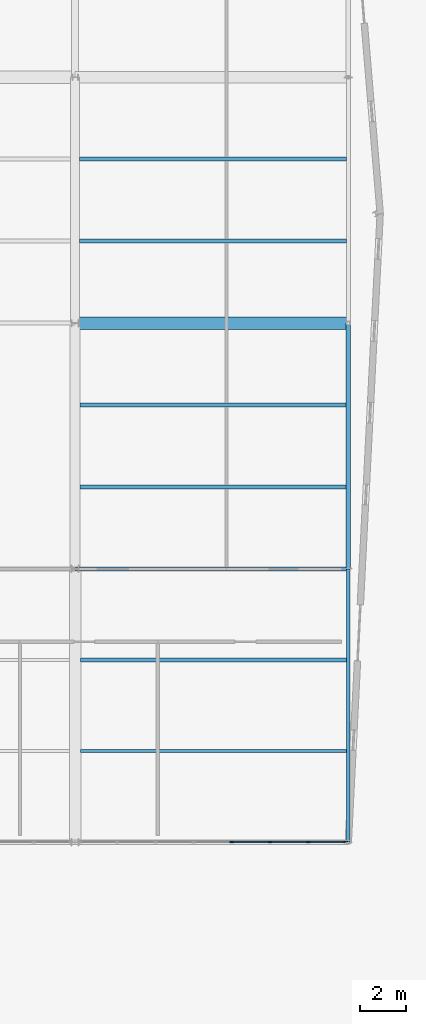
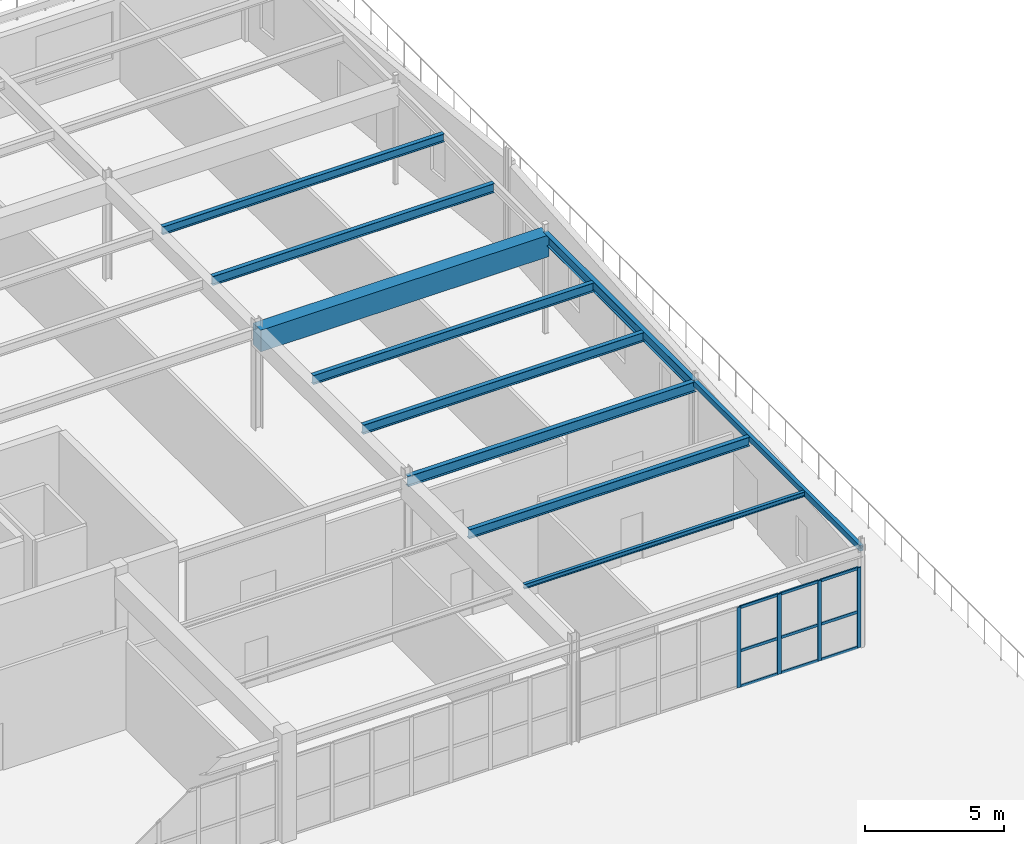
# One storey, part 109 of 199: 13 members, 10 beams, 1 element without a shape of its own.
"""IFC4 building model written with IfcOpenShell, lengths in metres."""

from ifc_helpers import new_model, si_unit, direction, frame, origin, origin_2d, place, context, subcontext, project, spatial, rectangle, hollow_rectangle, i_section, extrude, material, layer, layer_set, material_profile, profile_set, type_object, element, aggregate, save


model = new_model("IFC4")

# Units and contexts
model_context = context("Model", 3, precision=1e-05, world=origin(), true_north=direction((0.0, 1.0)))
body_context = subcontext(model_context, "Body", "Model", "MODEL_VIEW")
ifc_project = project(units=[si_unit("LENGTHUNIT", "METRE"), si_unit("AREAUNIT", "SQUARE_METRE"), si_unit("VOLUMEUNIT", "CUBIC_METRE"), si_unit("PLANEANGLEUNIT", "RADIAN"), si_unit("MASSUNIT", "GRAM", prefix="KILO")], contexts=[model_context])

# Site, building, storey
site_placement = place(None, origin())
site = spatial("IfcSite", under=ifc_project, at=site_placement, CompositionType="ELEMENT")
building_placement = place(site_placement, origin())
building = spatial("IfcBuilding", under=site, at=building_placement, Name="Tarnwether General Hospital", CompositionType="ELEMENT")
storey_placement = place(building_placement, origin())
storey = spatial("IfcBuildingStorey", under=building, at=storey_placement, Name="L00", CompositionType="ELEMENT", Elevation=0.0)

# Beams
ifc_material_1 = material(Name="Steel Grade 350 (350 MPa)", Category="steel")
ifc_material_profile_1 = material_profile(ifc_material_1, i_section(OverallWidth=0.18994140625, OverallDepth=0.4541015625, WebThickness=0.008544921875, FlangeThickness=0.0126953125, at=origin_2d()), Name="460UB67.1")
ifc_profile_set_1 = profile_set([ifc_material_profile_1], Name="Steel Grade 350 (350 MPa)")
beam_type_1 = type_object("IfcBeamType", Name="BM-G10", PredefinedType="BEAM", material=ifc_profile_set_1)
beam_1_placement = place(storey_placement, frame((180.0, 93.60009765625, 4.218017578125), z_axis=(1.0, 0.0, 0.0), x_axis=(0.0, 1.0, 0.0)))
element("IfcBeam", 1, at=beam_1_placement, inside=storey, type_object=beam_type_1, Name="Primary Girder BMG-L00-18000_9360-19200_9360-0848", PredefinedType="BEAM", context=body_context, shape_type="SweptSolid", body=[
    extrude(i_section(OverallWidth=0.18994140625, OverallDepth=0.4541015625, WebThickness=0.008544921875, FlangeThickness=0.0126953125, at=origin_2d()), origin(), (0.0, 0.0, 1.0), 12.0),
])
ifc_material_2 = material(Name="Concrete 40 MPa", Category="concrete")
ifc_material_profile_2 = material_profile(ifc_material_2, rectangle(XDim=0.550048828125, YDim=0.949951171875, at=origin_2d()), Name="RC-BM-550x950")
ifc_profile_set_2 = profile_set([ifc_material_profile_2], Name="Concrete 40 MPa")
beam_type_2 = type_object("IfcBeamType", Name="BM-G11", PredefinedType="BEAM", material=ifc_profile_set_2)
beam_2_placement = place(storey_placement, frame((180.0, 104.39990234375, 3.969970703125), z_axis=(1.0, 0.0, 0.0), x_axis=(0.0, 1.0, 0.0)))
element("IfcBeam", 2, at=beam_2_placement, inside=storey, type_object=beam_type_2, Name="Primary Girder BMG-L00-18000_10440-19200_10440-0850", PredefinedType="BEAM", context=body_context, shape_type="SweptSolid", body=[
    extrude(rectangle(XDim=0.550048828125, YDim=0.949951171875, at=origin_2d()), origin(), (0.0, 0.0, 1.0), 12.0),
])
ifc_material_3 = material(Name="Steel Grade 350 (350 MPa)", Category="steel")
ifc_material_profile_3 = material_profile(ifc_material_3, i_section(OverallWidth=0.177978515625, OverallDepth=0.406005859375, WebThickness=0.0078125, FlangeThickness=0.0126953125, at=origin_2d()), Name="410UB59.7")
ifc_profile_set_3 = profile_set([ifc_material_profile_3], Name="Steel Grade 350 (350 MPa)")
beam_type_3 = type_object("IfcBeamType", Name="BM-J01", PredefinedType="JOIST", material=ifc_profile_set_3)
beam_3_placement = place(storey_placement, frame((180.243896484375, 89.60009765625, 4.241943359375), z_axis=(1.0, 0.0, 0.0), x_axis=(0.0, 1.0, 0.0)))
element("IfcBeam", 3, at=beam_3_placement, inside=storey, type_object=beam_type_3, Name="Composite Floor Joist BMG-L00-18024_8960-19192_8960-1038", PredefinedType="JOIST", context=body_context, shape_type="SweptSolid", body=[
    extrude(i_section(OverallWidth=0.177978515625, OverallDepth=0.406005859375, WebThickness=0.0078125, FlangeThickness=0.0126953125, at=origin_2d()), origin(), (0.0, 0.0, 1.0), 11.676025390625),
])
beam_4_placement = place(storey_placement, frame((180.218994140625, 97.199951171875, 4.241943359375), z_axis=(1.0, 0.0, 0.0), x_axis=(0.0, 1.0, 0.0)))
element("IfcBeam", 4, at=beam_4_placement, inside=storey, type_object=beam_type_3, Name="Composite Floor Joist BMG-L00-18022_9720-19191_9720-1039", PredefinedType="JOIST", context=body_context, shape_type="SweptSolid", body=[
    extrude(i_section(OverallWidth=0.177978515625, OverallDepth=0.406005859375, WebThickness=0.0078125, FlangeThickness=0.0126953125, at=origin_2d()), origin(), (0.0, 0.0, 1.0), 11.69189453125),
])
ifc_material_4 = material(Name="Steel Grade 350 (350 MPa)", Category="steel")
ifc_material_profile_4 = material_profile(ifc_material_4, i_section(OverallWidth=0.177978515625, OverallDepth=0.403076171875, WebThickness=0.007568359375, FlangeThickness=0.010986328125, at=origin_2d()), Name="410UB53.7")
ifc_profile_set_4 = profile_set([ifc_material_profile_4], Name="Steel Grade 350 (350 MPa)")
beam_type_4 = type_object("IfcBeamType", Name="BM-J02", PredefinedType="JOIST", material=ifc_profile_set_4)
beam_5_placement = place(storey_placement, frame((180.218994140625, 100.800048828125, 4.243408203125), z_axis=(1.0, 0.0, 0.0), x_axis=(0.0, 1.0, 0.0)))
element("IfcBeam", 5, at=beam_5_placement, inside=storey, type_object=beam_type_4, Name="Composite Floor Joist BMG-L00-18022_10080-19191_10080-1040", PredefinedType="JOIST", context=body_context, shape_type="SweptSolid", body=[
    extrude(i_section(OverallWidth=0.177978515625, OverallDepth=0.403076171875, WebThickness=0.007568359375, FlangeThickness=0.010986328125, at=origin_2d()), origin(), (0.0, 0.0, 1.0), 11.69189453125),
])
beam_6_placement = place(storey_placement, frame((180.194091796875, 108.0, 4.243408203125), z_axis=(1.0, 0.0, 0.0), x_axis=(0.0, 1.0, 0.0)))
element("IfcBeam", 6, at=beam_6_placement, inside=storey, type_object=beam_type_4, Name="Composite Floor Joist BMG-L00-18019_10800-19192_10800-1041", PredefinedType="JOIST", context=body_context, shape_type="SweptSolid", body=[
    extrude(i_section(OverallWidth=0.177978515625, OverallDepth=0.403076171875, WebThickness=0.007568359375, FlangeThickness=0.010986328125, at=origin_2d()), origin(), (0.0, 0.0, 1.0), 11.722900390625),
])
ifc_material_5 = material(Name="Steel Grade 350 (350 MPa)", Category="steel")
ifc_material_profile_5 = material_profile(ifc_material_5, i_section(OverallWidth=0.172119140625, OverallDepth=0.35888671875, WebThickness=0.008056640625, FlangeThickness=0.012939453125, at=origin_2d()), Name="360UB56.7")
ifc_profile_set_5 = profile_set([ifc_material_profile_5], Name="Steel Grade 350 (350 MPa)")
beam_type_5 = type_object("IfcBeamType", Name="BM-J03", PredefinedType="JOIST", material=ifc_profile_set_5)
beam_7_placement = place(storey_placement, frame((180.194091796875, 111.60009765625, 4.265380859375), z_axis=(1.0, 0.0, 0.0), x_axis=(0.0, 1.0, 0.0)))
element("IfcBeam", 7, at=beam_7_placement, inside=storey, type_object=beam_type_5, Name="Composite Floor Joist BMG-L00-18019_11160-19192_11160-1042", PredefinedType="JOIST", context=body_context, shape_type="SweptSolid", body=[
    extrude(i_section(OverallWidth=0.172119140625, OverallDepth=0.35888671875, WebThickness=0.008056640625, FlangeThickness=0.012939453125, at=origin_2d()), origin(), (0.0, 0.0, 1.0), 11.722900390625),
])
ifc_material_6 = material(Name="Steel Grade 350 (350 MPa)", Category="steel")
ifc_material_profile_6 = material_profile(ifc_material_6, i_section(OverallWidth=0.134033203125, OverallDepth=0.20703125, WebThickness=0.00634765625, FlangeThickness=0.009521484375, at=origin_2d()), Name="200UB29.8")
ifc_profile_set_6 = profile_set([ifc_material_profile_6], Name="Steel Grade 350 (350 MPa)")
beam_type_6 = type_object("IfcBeamType", Name="BM-J12", PredefinedType="JOIST", material=ifc_profile_set_6)
beam_8_placement = place(storey_placement, frame((180.243896484375, 85.60009765625, 4.341552734375), z_axis=(1.0, 0.0, 0.0), x_axis=(0.0, 1.0, 0.0)))
element("IfcBeam", 8, at=beam_8_placement, inside=storey, type_object=beam_type_6, Name="Composite Floor Joist BMG-L00-18024_8560-19192_8560-1037", PredefinedType="JOIST", context=body_context, shape_type="SweptSolid", body=[
    extrude(i_section(OverallWidth=0.134033203125, OverallDepth=0.20703125, WebThickness=0.00634765625, FlangeThickness=0.009521484375, at=origin_2d()), origin(), (0.0, 0.0, 1.0), 11.676025390625),
])
ifc_material_7 = material(Name="Steel Grade 350 (350 MPa)", Category="steel")
ifc_material_profile_7 = material_profile(ifc_material_7, i_section(OverallWidth=0.18994140625, OverallDepth=0.4541015625, WebThickness=0.008544921875, FlangeThickness=0.0126953125, at=origin_2d()), Name="460UB67.1")
ifc_profile_set_7 = profile_set([ifc_material_profile_7], Name="Steel Grade 350 (350 MPa)")
beam_type_7 = type_object("IfcBeamType", Name="BM-SP1", PredefinedType="SPANDREL", material=ifc_profile_set_7)
beam_9_placement = place(storey_placement, frame((192.0, 93.60009765625, 4.218017578125), z_axis=(0.0, 1.0, 0.0), x_axis=(-1.0, 0.0, 0.0)))
element("IfcBeam", 9, at=beam_9_placement, inside=storey, type_object=beam_type_7, Name="Primary Girder BMG-L00-19200_9360-19200_10440-0860", PredefinedType="SPANDREL", context=body_context, shape_type="SweptSolid", body=[
    extrude(i_section(OverallWidth=0.18994140625, OverallDepth=0.4541015625, WebThickness=0.008544921875, FlangeThickness=0.0126953125, at=origin_2d()), origin(), (0.0, 0.0, 1.0), 10.7998046875),
])
ifc_material_8 = material(Name="Steel Grade C350L0 (350 MPa)", Category="steel")
ifc_material_profile_8 = material_profile(ifc_material_8, hollow_rectangle(XDim=0.14990234375, YDim=0.25, WallThickness=0.008056640625, at=origin_2d()), Name="RHS250x150x8")
ifc_profile_set_8 = profile_set([ifc_material_profile_8], Name="Steel Grade C350L0 (350 MPa)")
beam_type_8 = type_object("IfcBeamType", Name="BM-SP8", PredefinedType="SPANDREL", material=ifc_profile_set_8)
beam_10_placement = place(storey_placement, frame((192.0, 81.60009765625, 4.320068359375), z_axis=(0.0, 1.0, 0.0), x_axis=(-1.0, 0.0, 0.0)))
element("IfcBeam", 10, at=beam_10_placement, inside=storey, type_object=beam_type_8, Name="Primary Girder BMG-L00-19200_8160-19200_9360-0859", PredefinedType="SPANDREL", context=body_context, shape_type="SweptSolid", body=[
    extrude(hollow_rectangle(XDim=0.14990234375, YDim=0.25, WallThickness=0.008056640625, at=origin_2d()), origin(), (0.0, 0.0, 1.0), 12.0),
])

# Curtain wall, members
ifc_material_9 = material(Name="Anodised aluminium", Category="aluminium")
ifc_layer = layer(ifc_material_9, 0.159912109375)
ifc_layer_set = layer_set([ifc_layer], Name="Anodised aluminium")
curtain_wall_type = type_object("IfcCurtainWallType", Name="CW-20", PredefinedType="NOTDEFINED", material=ifc_layer_set)
curtain_wall_placement = place(storey_placement, origin())
curtain_wall = element("IfcCurtainWall", 11, at=curtain_wall_placement, inside=storey, type_object=curtain_wall_type, Name="Curtain Wall CWG-L00-1919_816-0290", PredefinedType="NOTDEFINED")
ifc_material_10 = material(Name="Anodised aluminium", Category="aluminium")
ifc_material_profile_9 = material_profile(ifc_material_10, rectangle(XDim=0.06005859375, YDim=0.159912109375, at=origin_2d()), Name="ALU-MUL-60x160")
ifc_profile_set_9 = profile_set([ifc_material_profile_9], Name="Anodised aluminium")
member_type_1 = type_object("IfcMemberType", Name="CW-ML1", PredefinedType="MULLION", material=ifc_profile_set_9)
member_1_placement = place(storey_placement, frame((191.885986328125, 81.60009765625, 0.0), z_axis=(0.0, 0.0, 1.0), x_axis=(0.0, -1.0, 0.0)))
member_1 = element("IfcMember", 12, at=member_1_placement, type_object=member_type_1, Name="CW-20 mullion 1", PredefinedType="MULLION", context=body_context, shape_type="SweptSolid", body=[
    extrude(rectangle(XDim=0.06005859375, YDim=0.159912109375, at=origin_2d()), origin(), (0.0, 0.0, 1.0), 3.530029296875),
])
member_2_placement = place(storey_placement, frame((190.23779296875, 81.60009765625, 0.0), z_axis=(0.0, 0.0, 1.0), x_axis=(0.0, -1.0, 0.0)))
member_2 = element("IfcMember", 13, at=member_2_placement, type_object=member_type_1, Name="CW-20 mullion 2", PredefinedType="MULLION", context=body_context, shape_type="SweptSolid", body=[
    extrude(rectangle(XDim=0.06005859375, YDim=0.159912109375, at=origin_2d()), origin(), (0.0, 0.0, 1.0), 3.530029296875),
])
member_3_placement = place(storey_placement, frame((188.559326171875, 81.60009765625, 0.0), z_axis=(0.0, 0.0, 1.0), x_axis=(0.0, -1.0, 0.0)))
member_3 = element("IfcMember", 14, at=member_3_placement, type_object=member_type_1, Name="CW-20 mullion 3", PredefinedType="MULLION", context=body_context, shape_type="SweptSolid", body=[
    extrude(rectangle(XDim=0.06005859375, YDim=0.159912109375, at=origin_2d()), origin(), (0.0, 0.0, 1.0), 3.530029296875),
])
member_4_placement = place(storey_placement, frame((186.881103515625, 81.60009765625, 0.0), z_axis=(0.0, 0.0, 1.0), x_axis=(0.0, -1.0, 0.0)))
member_4 = element("IfcMember", 15, at=member_4_placement, type_object=member_type_1, Name="CW-20 mullion 4", PredefinedType="MULLION", context=body_context, shape_type="SweptSolid", body=[
    extrude(rectangle(XDim=0.06005859375, YDim=0.159912109375, at=origin_2d()), origin(), (0.0, 0.0, 1.0), 3.530029296875),
])
ifc_material_11 = material(Name="Anodised aluminium", Category="aluminium")
ifc_material_profile_10 = material_profile(ifc_material_11, rectangle(XDim=0.06005859375, YDim=0.1201171875, at=origin_2d()), Name="ALU-TRN-60x120")
ifc_profile_set_10 = profile_set([ifc_material_profile_10], Name="Anodised aluminium")
member_type_2 = type_object("IfcMemberType", Name="CW-TR1", PredefinedType="USERDEFINED", material=ifc_profile_set_10)
member_5_placement = place(storey_placement, frame((191.85595703125, 81.60009765625, 0.030029296875), z_axis=(-1.0, 0.0, 0.0), x_axis=(0.0, -1.0, 0.0)))
member_5 = element("IfcMember", 16, at=member_5_placement, type_object=member_type_2, Name="CW-20 transom 1.1", ObjectType="TRANSOM", PredefinedType="USERDEFINED", context=body_context, shape_type="SweptSolid", body=[
    extrude(rectangle(XDim=0.06005859375, YDim=0.1201171875, at=origin_2d()), origin(), (0.0, 0.0, 1.0), 1.588134765625),
])
member_6_placement = place(storey_placement, frame((191.85595703125, 81.60009765625, 1.58837890625), z_axis=(-1.0, 0.0, 0.0), x_axis=(0.0, -1.0, 0.0)))
member_6 = element("IfcMember", 17, at=member_6_placement, type_object=member_type_2, Name="CW-20 transom 1.2", ObjectType="TRANSOM", PredefinedType="USERDEFINED", context=body_context, shape_type="SweptSolid", body=[
    extrude(rectangle(XDim=0.06005859375, YDim=0.1201171875, at=origin_2d()), origin(), (0.0, 0.0, 1.0), 1.588134765625),
])
member_7_placement = place(storey_placement, frame((191.85595703125, 81.60009765625, 3.5), z_axis=(-1.0, 0.0, 0.0), x_axis=(0.0, -1.0, 0.0)))
member_7 = element("IfcMember", 18, at=member_7_placement, type_object=member_type_2, Name="CW-20 transom 1.3", ObjectType="TRANSOM", PredefinedType="USERDEFINED", context=body_context, shape_type="SweptSolid", body=[
    extrude(rectangle(XDim=0.06005859375, YDim=0.1201171875, at=origin_2d()), origin(), (0.0, 0.0, 1.0), 1.588134765625),
])
member_8_placement = place(storey_placement, frame((190.207763671875, 81.60009765625, 0.030029296875), z_axis=(-1.0, 0.0, 0.0), x_axis=(0.0, -1.0, 0.0)))
member_8 = element("IfcMember", 19, at=member_8_placement, type_object=member_type_2, Name="CW-20 transom 2.1", ObjectType="TRANSOM", PredefinedType="USERDEFINED", context=body_context, shape_type="SweptSolid", body=[
    extrude(rectangle(XDim=0.06005859375, YDim=0.1201171875, at=origin_2d()), origin(), (0.0, 0.0, 1.0), 1.618408203125),
])
member_9_placement = place(storey_placement, frame((190.207763671875, 81.60009765625, 1.58837890625), z_axis=(-1.0, 0.0, 0.0), x_axis=(0.0, -1.0, 0.0)))
member_9 = element("IfcMember", 20, at=member_9_placement, type_object=member_type_2, Name="CW-20 transom 2.2", ObjectType="TRANSOM", PredefinedType="USERDEFINED", context=body_context, shape_type="SweptSolid", body=[
    extrude(rectangle(XDim=0.06005859375, YDim=0.1201171875, at=origin_2d()), origin(), (0.0, 0.0, 1.0), 1.618408203125),
])
member_10_placement = place(storey_placement, frame((190.207763671875, 81.60009765625, 3.5), z_axis=(-1.0, 0.0, 0.0), x_axis=(0.0, -1.0, 0.0)))
member_10 = element("IfcMember", 21, at=member_10_placement, type_object=member_type_2, Name="CW-20 transom 2.3", ObjectType="TRANSOM", PredefinedType="USERDEFINED", context=body_context, shape_type="SweptSolid", body=[
    extrude(rectangle(XDim=0.06005859375, YDim=0.1201171875, at=origin_2d()), origin(), (0.0, 0.0, 1.0), 1.618408203125),
])
member_11_placement = place(storey_placement, frame((188.529541015625, 81.60009765625, 0.030029296875), z_axis=(-1.0, 0.0, 0.0), x_axis=(0.0, -1.0, 0.0)))
member_11 = element("IfcMember", 22, at=member_11_placement, type_object=member_type_2, Name="CW-20 transom 3.1", ObjectType="TRANSOM", PredefinedType="USERDEFINED", context=body_context, shape_type="SweptSolid", body=[
    extrude(rectangle(XDim=0.06005859375, YDim=0.1201171875, at=origin_2d()), origin(), (0.0, 0.0, 1.0), 1.618408203125),
])
member_12_placement = place(storey_placement, frame((188.529541015625, 81.60009765625, 1.58837890625), z_axis=(-1.0, 0.0, 0.0), x_axis=(0.0, -1.0, 0.0)))
member_12 = element("IfcMember", 23, at=member_12_placement, type_object=member_type_2, Name="CW-20 transom 3.2", ObjectType="TRANSOM", PredefinedType="USERDEFINED", context=body_context, shape_type="SweptSolid", body=[
    extrude(rectangle(XDim=0.06005859375, YDim=0.1201171875, at=origin_2d()), origin(), (0.0, 0.0, 1.0), 1.618408203125),
])
member_13_placement = place(storey_placement, frame((188.529541015625, 81.60009765625, 3.5), z_axis=(-1.0, 0.0, 0.0), x_axis=(0.0, -1.0, 0.0)))
member_13 = element("IfcMember", 24, at=member_13_placement, type_object=member_type_2, Name="CW-20 transom 3.3", ObjectType="TRANSOM", PredefinedType="USERDEFINED", context=body_context, shape_type="SweptSolid", body=[
    extrude(rectangle(XDim=0.06005859375, YDim=0.1201171875, at=origin_2d()), origin(), (0.0, 0.0, 1.0), 1.618408203125),
])
aggregate(curtain_wall, [member_1, member_2, member_3, member_4, member_5, member_6, member_7, member_8, member_9, member_10, member_11, member_12, member_13])

save(model, "model.ifc")
